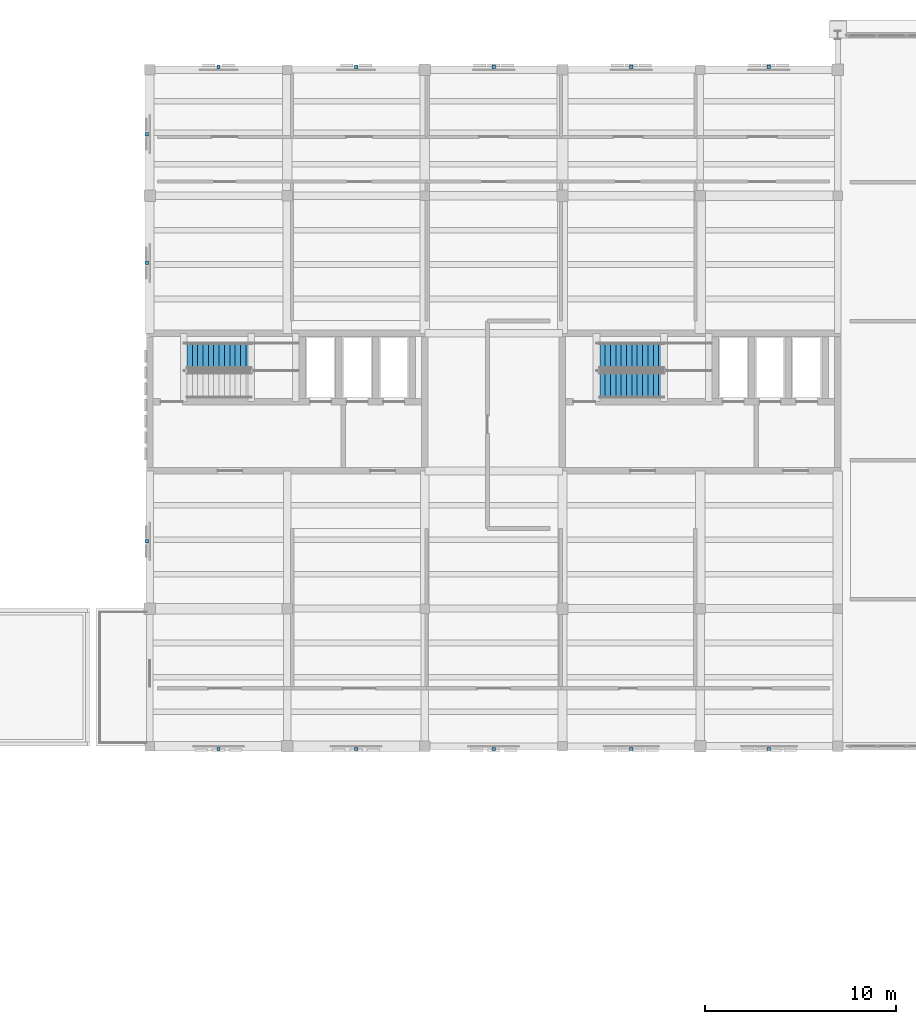
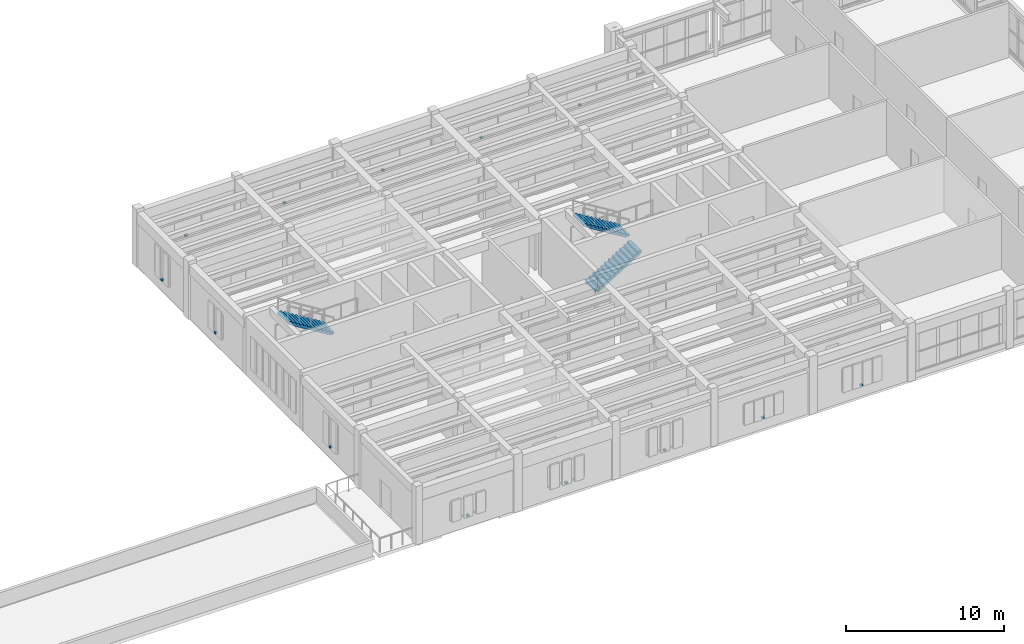
# One storey, part 15 of 18: 13 discrete accessories, 3 stair flights, 2 elements without a shape of their own.
"""IFC4 building model written with IfcOpenShell, lengths in metres."""

from ifc_helpers import new_model, si_unit, direction, frame, origin, origin_2d, place, context, subcontext, project, spatial, polyline, rectangle, outline, extrude, material, type_object, element, aggregate, save


model = new_model("IFC4")

# Units and contexts
model_context = context("Model", 3, precision=1e-05, world=origin(), true_north=direction((0.0, 1.0)))
body_context = subcontext(model_context, "Body", "Model", "MODEL_VIEW")
ifc_project = project(units=[si_unit("LENGTHUNIT", "METRE"), si_unit("AREAUNIT", "SQUARE_METRE"), si_unit("VOLUMEUNIT", "CUBIC_METRE"), si_unit("PLANEANGLEUNIT", "RADIAN"), si_unit("MASSUNIT", "GRAM", prefix="KILO")], contexts=[model_context])

# Site, building, storey
site_placement = place(None, origin())
site = spatial("IfcSite", under=ifc_project, at=site_placement, CompositionType="ELEMENT")
building_placement = place(site_placement, origin())
building = spatial("IfcBuilding", under=site, at=building_placement, Name="Mithqara Police Headquarters", CompositionType="ELEMENT")
storey_placement = place(building_placement, frame((0.0, 0.0, 26.39990234375)))
storey = spatial("IfcBuildingStorey", under=building, at=storey_placement, Name="L06", CompositionType="ELEMENT", Elevation=26.39990234375)

# Stair, stair flight
ifc_material_1 = material(Name="Concrete C40/50", Category="concrete")
stair_type_1 = type_object("IfcStairType", Name="STAIR ST 01-R26", PredefinedType="HALF_TURN_STAIR", material=ifc_material_1)
stair_1_placement = place(storey_placement, origin())
stair_1 = element("IfcStair", 1, at=stair_1_placement, inside=storey, type_object=stair_type_1, Name="L06 Core C1 Command West Exit Stair", PredefinedType="HALF_TURN_STAIR")
stair_flight_type_1 = type_object("IfcStairFlightType", Name="STAIR FLIGHT ST 01 F R13", PredefinedType="STRAIGHT", material=ifc_material_1)
stair_flight_1_placement = place(storey_placement, frame((113.909912109375, 99.02490234375, 2.25), z_axis=(0.0, 0.0, 1.0), x_axis=(-1.0, 0.0, 0.0)))
stair_flight_1 = element("IfcStairFlight", 2, at=stair_flight_1_placement, type_object=stair_flight_type_1, Name="ST-01 flight 2", NumberOfRisers=13, NumberOfTreads=12, PredefinedType="STRAIGHT", RiserHeight=0.173076923, TreadLength=0.28, context=body_context, shape_type="SweptSolid", body=[
    extrude(outline(polyline([(0.0, 0.0), (0.0, 0.173095703125), (0.280029296875, 0.173095703125), (0.280029296875, 0.34619140625), (0.56005859375, 0.34619140625), (0.56005859375, 0.519287109375), (0.840087890625, 0.519287109375), (0.840087890625, 0.6923828125), (1.1201171875, 0.6923828125), (1.1201171875, 0.865478515625), (1.39990234375, 0.865478515625), (1.39990234375, 1.03857421875), (1.679931640625, 1.03857421875), (1.679931640625, 1.21142578125), (1.9599609375, 1.21142578125), (1.9599609375, 1.384521484375), (2.239990234375, 1.384521484375), (2.239990234375, 1.5576171875), (2.52001953125, 1.5576171875), (2.52001953125, 1.730712890625), (2.800048828125, 1.730712890625), (2.800048828125, 1.90380859375), (3.080078125, 1.90380859375), (3.080078125, 2.076904296875), (3.360107421875, 2.076904296875), (3.360107421875, 2.25), (3.360107421875, 1.900634765625), (0.28515625, 0.0), (0.0, 0.0)])), frame((0.0, 0.675048828125, 0.0), z_axis=(0.0, -1.0, 0.0), x_axis=(1.0, 0.0, 0.0)), (0.0, 0.0, 1.0), 1.35009765625),
])
aggregate(stair_1, [stair_flight_1])

# Stair, stair flights
stair_type_2 = type_object("IfcStairType", Name="STAIR ST 02-R26", PredefinedType="HALF_TURN_STAIR", material=ifc_material_1)
stair_2_placement = place(storey_placement, origin())
stair_2 = element("IfcStair", 3, at=stair_2_placement, inside=storey, type_object=stair_type_2, Name="L06 Core C2 Command East Exit Stair", PredefinedType="HALF_TURN_STAIR")
stair_flight_type_2 = type_object("IfcStairFlightType", Name="STAIR FLIGHT ST 02 F R13", PredefinedType="STRAIGHT", material=ifc_material_1)
stair_flight_2_placement = place(storey_placement, frame((132.14990234375, 97.47509765625, 0.0), z_axis=(0.0, 0.0, 1.0), x_axis=(1.0, 0.0, 0.0)))
stair_flight_2 = element("IfcStairFlight", 4, at=stair_flight_2_placement, type_object=stair_flight_type_2, Name="ST-02 flight 1", NumberOfRisers=13, NumberOfTreads=12, PredefinedType="STRAIGHT", RiserHeight=0.173076923, TreadLength=0.28, context=body_context, shape_type="SweptSolid", body=[
    extrude(outline(polyline([(0.0, 0.0), (0.0, 0.173095703125), (0.280029296875, 0.173095703125), (0.280029296875, 0.34619140625), (0.56005859375, 0.34619140625), (0.56005859375, 0.519287109375), (0.840087890625, 0.519287109375), (0.840087890625, 0.6923828125), (1.1201171875, 0.6923828125), (1.1201171875, 0.865478515625), (1.39990234375, 0.865478515625), (1.39990234375, 1.03857421875), (1.679931640625, 1.03857421875), (1.679931640625, 1.21142578125), (1.9599609375, 1.21142578125), (1.9599609375, 1.384521484375), (2.239990234375, 1.384521484375), (2.239990234375, 1.5576171875), (2.52001953125, 1.5576171875), (2.52001953125, 1.730712890625), (2.800048828125, 1.730712890625), (2.800048828125, 1.90380859375), (3.080078125, 1.90380859375), (3.080078125, 2.076904296875), (3.360107421875, 2.076904296875), (3.360107421875, 2.25), (3.360107421875, 1.900634765625), (0.28515625, 0.0), (0.0, 0.0)])), frame((0.0, 0.675048828125, 0.0), z_axis=(0.0, -1.0, 0.0), x_axis=(1.0, 0.0, 0.0)), (0.0, 0.0, 1.0), 1.35009765625),
])
stair_flight_3_placement = place(storey_placement, frame((135.510009765625, 99.02490234375, 2.25), z_axis=(0.0, 0.0, 1.0), x_axis=(-1.0, 0.0, 0.0)))
stair_flight_3 = element("IfcStairFlight", 5, at=stair_flight_3_placement, type_object=stair_flight_type_2, Name="ST-02 flight 2", NumberOfRisers=13, NumberOfTreads=12, PredefinedType="STRAIGHT", RiserHeight=0.173076923, TreadLength=0.28, context=body_context, shape_type="SweptSolid", body=[
    extrude(outline(polyline([(0.0, 0.0), (0.0, 0.173095703125), (0.280029296875, 0.173095703125), (0.280029296875, 0.34619140625), (0.56005859375, 0.34619140625), (0.56005859375, 0.519287109375), (0.840087890625, 0.519287109375), (0.840087890625, 0.6923828125), (1.1201171875, 0.6923828125), (1.1201171875, 0.865478515625), (1.39990234375, 0.865478515625), (1.39990234375, 1.03857421875), (1.679931640625, 1.03857421875), (1.679931640625, 1.21142578125), (1.9599609375, 1.21142578125), (1.9599609375, 1.384521484375), (2.239990234375, 1.384521484375), (2.239990234375, 1.5576171875), (2.52001953125, 1.5576171875), (2.52001953125, 1.730712890625), (2.800048828125, 1.730712890625), (2.800048828125, 1.90380859375), (3.080078125, 1.90380859375), (3.080078125, 2.076904296875), (3.360107421875, 2.076904296875), (3.360107421875, 2.25), (3.360107421875, 1.900634765625), (0.28515625, 0.0), (0.0, 0.0)])), frame((0.0, 0.675048828125, 0.0), z_axis=(0.0, -1.0, 0.0), x_axis=(1.0, 0.0, 0.0)), (0.0, 0.0, 1.0), 1.35009765625),
])
aggregate(stair_2, [stair_flight_2, stair_flight_3])

# Discrete accessories
ifc_material_2 = material(Name="Steel S355JR", Category="steel")
discrete_accessory_type = type_object("IfcDiscreteAccessoryType", Name="SCREEN BRACKET SS", PredefinedType="BRACKET", material=ifc_material_2)
for number, where, z_axis, x_axis, name in (
    (6, (112.199951171875, 78.449951171875, 0.85009765625), (0.0, 0.0, 1.0), (1.0, 0.0, 0.0), "L06 Stone Screen Support Bracket 1.1"),
    (7, (119.39990234375, 78.449951171875, 0.85009765625), (0.0, 0.0, 1.0), (1.0, 0.0, 0.0), "L06 Stone Screen Support Bracket 1.2"),
    (8, (126.60009765625, 78.449951171875, 0.85009765625), (0.0, 0.0, 1.0), (1.0, 0.0, 0.0), "L06 Stone Screen Support Bracket 1.3"),
    (9, (133.800048828125, 78.449951171875, 0.85009765625), (0.0, 0.0, 1.0), (1.0, 0.0, 0.0), "L06 Stone Screen Support Bracket 1.4"),
    (10, (141.0, 78.449951171875, 0.85009765625), (0.0, 0.0, 1.0), (1.0, 0.0, 0.0), "L06 Stone Screen Support Bracket 1.5"),
    (11, (112.199951171875, 114.14990234375, 0.85009765625), (0.0, 0.0, 1.0), (1.0, 0.0, 0.0), "L06 Stone Screen Support Bracket 6.1"),
    (12, (119.39990234375, 114.14990234375, 0.85009765625), (0.0, 0.0, 1.0), (1.0, 0.0, 0.0), "L06 Stone Screen Support Bracket 6.2"),
    (13, (126.60009765625, 114.14990234375, 0.85009765625), (0.0, 0.0, 1.0), (1.0, 0.0, 0.0), "L06 Stone Screen Support Bracket 6.3"),
    (14, (133.800048828125, 114.14990234375, 0.85009765625), (0.0, 0.0, 1.0), (1.0, 0.0, 0.0), "L06 Stone Screen Support Bracket 6.4"),
    (15, (141.0, 114.14990234375, 0.85009765625), (0.0, 0.0, 1.0), (1.0, 0.0, 0.0), "L06 Stone Screen Support Bracket 6.5"),
    (16, (108.449951171875, 103.885009765625, 0.85009765625), (0.0, 0.0, 1.0), (0.0, 1.0, 0.0), "L06 Stone Screen Support Bracket 7.1"),
    (17, (108.449951171875, 110.625, 0.85009765625), (0.0, 0.0, 1.0), (0.0, 1.0, 0.0), "L06 Stone Screen Support Bracket 7.2"),
    (18, (108.449951171875, 89.31494140625, 0.85009765625), (0.0, 0.0, 1.0), (0.0, 1.0, 0.0), "L06 Stone Screen Support Bracket 7.2"),
):
    element("IfcDiscreteAccessory", number, at=place(storey_placement, frame(where, z_axis=z_axis, x_axis=x_axis)), inside=storey, type_object=discrete_accessory_type, Name=name, PredefinedType="BRACKET", context=body_context, shape_type="SweptSolid", body=[
        extrude(rectangle(XDim=0.179931640625, YDim=0.179931640625, at=origin_2d()), origin(), (0.0, 0.0, 1.0), 0.1201171875),
    ])

save(model, "model.ifc")
